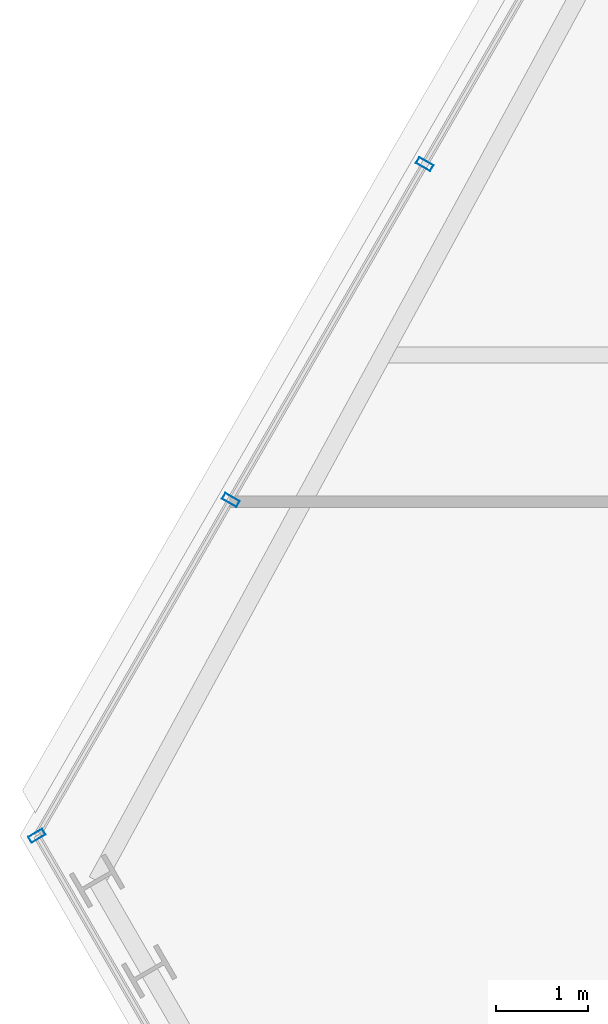
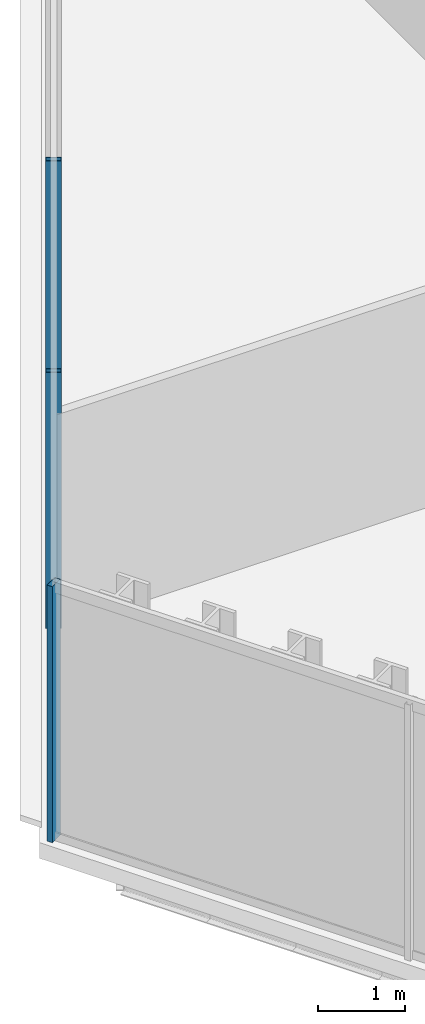
# One storey, part 4 of 33: 3 members, 2 elements without a shape of their own.
"""IFC4 building model written with IfcOpenShell, lengths in metres."""

from ifc_helpers import new_model, si_unit, direction, frame, origin, origin_2d, place, context, subcontext, project, spatial, hollow_rectangle, extrude, material, layer, layer_set, material_profile, profile_set, type_object, element, aggregate, save


model = new_model("IFC4")

# Units and contexts
model_context = context("Model", 3, precision=1e-05, world=origin(), true_north=direction((0.0, 1.0)))
body_context = subcontext(model_context, "Body", "Model", "MODEL_VIEW")
ifc_project = project(units=[si_unit("LENGTHUNIT", "METRE"), si_unit("AREAUNIT", "SQUARE_METRE"), si_unit("VOLUMEUNIT", "CUBIC_METRE"), si_unit("PLANEANGLEUNIT", "RADIAN"), si_unit("MASSUNIT", "GRAM", prefix="KILO")], contexts=[model_context])

# Site, building, storey
site_placement = place(None, origin())
site = spatial("IfcSite", under=ifc_project, at=site_placement, CompositionType="ELEMENT")
building_placement = place(site_placement, origin())
building = spatial("IfcBuilding", under=site, at=building_placement, Name="Ndaravel Arena Tower", CompositionType="ELEMENT")
storey_placement = place(building_placement, frame((0.0, 0.0, 184.0)))
storey = spatial("IfcBuildingStorey", under=building, at=storey_placement, Name="L44", CompositionType="ELEMENT", Elevation=184.0)

# Curtain wall, members
ifc_material_1 = material(Name="Aluminium", Category="aluminium")
ifc_layer_1 = layer(ifc_material_1, 0.179931640625)
ifc_layer_set_1 = layer_set([ifc_layer_1], Name="Aluminium")
curtain_wall_type_1 = type_object("IfcCurtainWallType", Name="CW-SYS-03", PredefinedType="NOTDEFINED", material=ifc_layer_set_1)
curtain_wall_1_placement = place(storey_placement, origin())
curtain_wall_1 = element("IfcCurtainWall", 1, at=curtain_wall_1_placement, inside=storey, type_object=curtain_wall_type_1, Name="L44 Faceted Crystal Curtain Wall CW-L44-E05", PredefinedType="NOTDEFINED")
ifc_material_2 = material(Name="Aluminium", Category="aluminium")
ifc_material_profile = material_profile(ifc_material_2, hollow_rectangle(XDim=0.074951171875, YDim=0.179931640625, WallThickness=0.00390625, at=origin_2d()), Name="CW MULLION 75x180x4")
ifc_profile_set = profile_set([ifc_material_profile], Name="Aluminium")
member_type = type_object("IfcMemberType", Name="MEM-CW-MUL180", PredefinedType="MULLION", material=ifc_profile_set)
member_1_placement = place(storey_placement, frame((22.4775390625, 20.677978515625, 0.0), z_axis=(0.0, 0.0, 1.0), x_axis=(-0.5, -0.866025403784, 0.0)))
member_1 = element("IfcMember", 2, at=member_1_placement, type_object=member_type, Name="CW-L44-E05 Mullion 07", PredefinedType="MULLION", context=body_context, shape_type="SweptSolid", body=[
    extrude(hollow_rectangle(XDim=0.074951171875, YDim=0.179931640625, WallThickness=0.00390625, at=origin_2d()), origin(), (0.0, 0.0, 1.0), 3.580078125),
])
member_2_placement = place(storey_placement, frame((20.364990234375, 17.0185546875, 0.0), z_axis=(0.0, 0.0, 1.0), x_axis=(-0.5, -0.866025403784, 0.0)))
member_2 = element("IfcMember", 3, at=member_2_placement, type_object=member_type, Name="CW-L44-E05 Mullion 08", PredefinedType="MULLION", context=body_context, shape_type="SweptSolid", body=[
    extrude(hollow_rectangle(XDim=0.074951171875, YDim=0.179931640625, WallThickness=0.00390625, at=origin_2d()), origin(), (0.0, 0.0, 1.0), 3.580078125),
])
aggregate(curtain_wall_1, [member_1, member_2])

# Curtain wall, member
ifc_material_3 = material(Name="Aluminium", Category="aluminium")
ifc_layer_2 = layer(ifc_material_3, 0.179931640625)
ifc_layer_set_2 = layer_set([ifc_layer_2], Name="Aluminium")
curtain_wall_type_2 = type_object("IfcCurtainWallType", Name="CW-SYS-02", PredefinedType="NOTDEFINED", material=ifc_layer_set_2)
curtain_wall_2_placement = place(storey_placement, origin())
curtain_wall_2 = element("IfcCurtainWall", 4, at=curtain_wall_2_placement, inside=storey, type_object=curtain_wall_type_2, Name="L44 Faceted Crystal Curtain Wall CW-L44-E06", PredefinedType="NOTDEFINED")
member_3_placement = place(storey_placement, frame((18.252197265625, 13.359375, 0.0), z_axis=(0.0, 0.0, 1.0), x_axis=(0.5, -0.866025403784, 0.0)))
member_3 = element("IfcMember", 5, at=member_3_placement, type_object=member_type, Name="CW-L44-E06 Mullion 00", PredefinedType="MULLION", context=body_context, shape_type="SweptSolid", body=[
    extrude(hollow_rectangle(XDim=0.074951171875, YDim=0.179931640625, WallThickness=0.00390625, at=origin_2d()), origin(), (0.0, 0.0, 1.0), 3.580078125),
])
aggregate(curtain_wall_2, [member_3])

save(model, "model.ifc")
